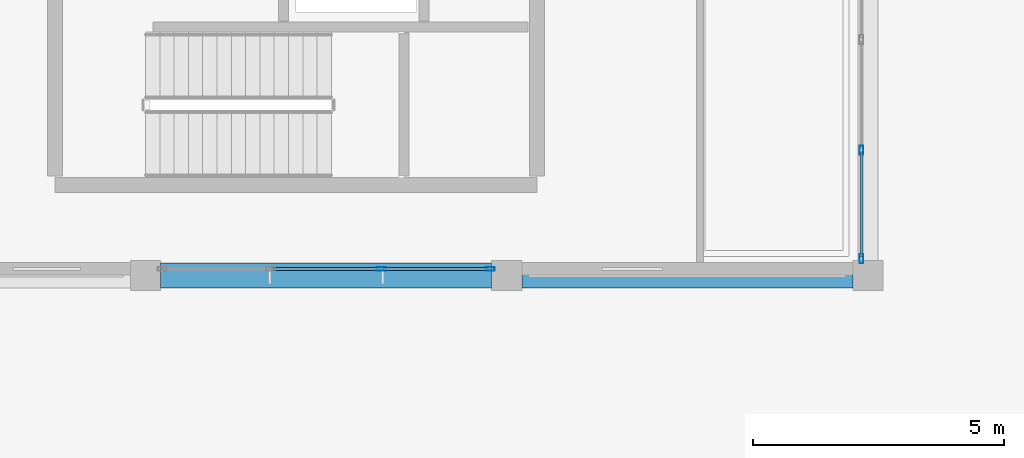
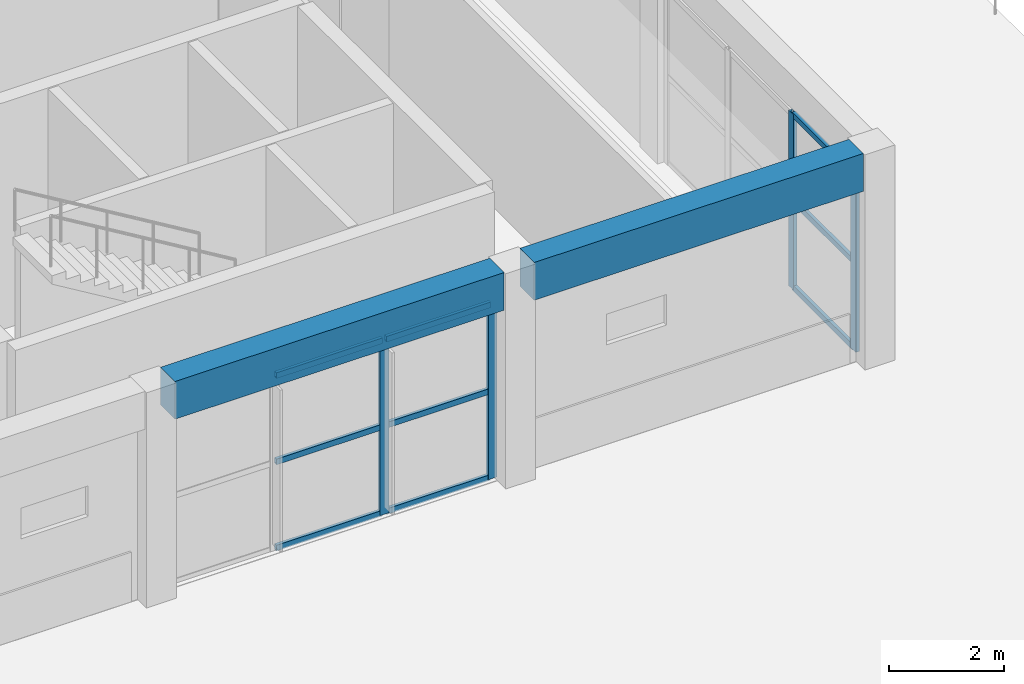
# One storey, part 14 of 155: 13 members, 2 beams, 2 elements without a shape of their own.
"""IFC4 building model written with IfcOpenShell, lengths in metres."""

from ifc_helpers import new_model, si_unit, direction, frame, origin, origin_2d, place, context, subcontext, project, spatial, rectangle, hollow_rectangle, extrude, material, material_profile, profile_set, type_object, element, aggregate, save


model = new_model("IFC4")

# Units and contexts
model_context = context("Model", 3, precision=1e-05, world=origin(), true_north=direction((0.0, 1.0)))
body_context = subcontext(model_context, "Body", "Model", "MODEL_VIEW")
ifc_project = project(units=[si_unit("LENGTHUNIT", "METRE"), si_unit("AREAUNIT", "SQUARE_METRE"), si_unit("VOLUMEUNIT", "CUBIC_METRE"), si_unit("PLANEANGLEUNIT", "RADIAN"), si_unit("MASSUNIT", "GRAM", prefix="KILO")], contexts=[model_context])

# Site, building, storey
site_placement = place(None, origin())
site = spatial("IfcSite", under=ifc_project, at=site_placement, CompositionType="ELEMENT")
building_placement = place(site_placement, origin())
building = spatial("IfcBuilding", under=site, at=building_placement, Name="Bramvelor Terrace Health Centre", CompositionType="ELEMENT")
storey_placement = place(building_placement, origin())
storey = spatial("IfcBuildingStorey", under=building, at=storey_placement, Name="L01", CompositionType="ELEMENT", Elevation=0.0)

# Beams
ifc_material_1 = material(Name="Concrete C40/50", Category="concrete")
ifc_material_profile_1 = material_profile(ifc_material_1, rectangle(XDim=0.5, YDim=0.800048828125, at=origin_2d()), Name="RC 500x800")
ifc_profile_set_1 = profile_set([ifc_material_profile_1], Name="Concrete C40/50")
beam_type = type_object("IfcBeamType", Name="BM-RC-G800", PredefinedType="BEAM", material=ifc_profile_set_1)
for number, where, z_axis, x_axis, name in (
    (1, (7.5, 28.800048828125, 4.159912109375), (1.0, 0.0, 0.0), (0.0, 1.0, 0.0), "L01 Floor Girder"),
    (2, (14.699951171875, 28.800048828125, 4.159912109375), (1.0, 0.0, 0.0), (0.0, 1.0, 0.0), "L01 Floor Girder"),
):
    element("IfcBeam", number, at=place(storey_placement, frame(where, z_axis=z_axis, x_axis=x_axis)), inside=storey, type_object=beam_type, Name=name, PredefinedType="BEAM", context=body_context, shape_type="SweptSolid", body=[
        extrude(rectangle(XDim=0.5, YDim=0.800048828125, at=origin_2d()), origin(), (0.0, 0.0, 1.0), 6.60009765625),
    ])

# Curtain wall, members
ifc_material_2 = material(Name="Anodized aluminium and double low-E glass", Category="aluminium")
curtain_wall_type = type_object("IfcCurtainWallType", Name="CW-SYS-02", PredefinedType="NOTDEFINED", material=ifc_material_2)
curtain_wall_1_placement = place(storey_placement, origin())
curtain_wall_1 = element("IfcCurtainWall", 3, at=curtain_wall_1_placement, inside=storey, type_object=curtain_wall_type, Name="L01 Unitized Curtain Wall 5", PredefinedType="NOTDEFINED")
ifc_material_3 = material(Name="Anodized aluminium 6063-T6", Category="aluminium")
ifc_material_profile_2 = material_profile(ifc_material_3, hollow_rectangle(XDim=0.074951171875, YDim=0.179931640625, WallThickness=0.00341796875, at=origin_2d()), Name="ALU-MUL 75x180x3.5")
ifc_profile_set_2 = profile_set([ifc_material_profile_2], Name="Anodized aluminium 6063-T6")
member_type_1 = type_object("IfcMemberType", Name="CW-MUL-65x180", PredefinedType="MULLION", material=ifc_profile_set_2)
member_1_placement = place(storey_placement, frame((21.469970703125, 31.29833984375, 0.0), z_axis=(0.0, 0.0, 1.0), x_axis=(1.0, 0.0, 0.0)))
member_1 = element("IfcMember", 4, at=member_1_placement, type_object=member_type_1, Name="CW-02 mullion 3", PredefinedType="MULLION", context=body_context, shape_type="SweptSolid", body=[
    extrude(hollow_rectangle(XDim=0.074951171875, YDim=0.179931640625, WallThickness=0.00341796875, at=origin_2d()), origin(), (0.0, 0.0, 1.0), 3.719970703125),
])
member_2_placement = place(storey_placement, frame((21.469970703125, 29.132568359375, 0.0), z_axis=(0.0, 0.0, 1.0), x_axis=(1.0, 0.0, 0.0)))
member_2 = element("IfcMember", 5, at=member_2_placement, type_object=member_type_1, Name="CW-02 mullion 4", PredefinedType="MULLION", context=body_context, shape_type="SweptSolid", body=[
    extrude(hollow_rectangle(XDim=0.074951171875, YDim=0.179931640625, WallThickness=0.00341796875, at=origin_2d()), origin(), (0.0, 0.0, 1.0), 3.719970703125),
])

curtain_wall_2_placement = place(storey_placement, origin())
curtain_wall_2 = element("IfcCurtainWall", 6, at=curtain_wall_2_placement, inside=storey, type_object=curtain_wall_type, Name="L01 Unitized Curtain Wall 6", PredefinedType="NOTDEFINED")
member_3_placement = place(storey_placement, frame((14.0673828125, 28.929931640625, 0.0), z_axis=(0.0, 0.0, 1.0), x_axis=(0.0, -1.0, 0.0)))
member_3 = element("IfcMember", 7, at=member_3_placement, type_object=member_type_1, Name="CW-02 mullion 1", PredefinedType="MULLION", context=body_context, shape_type="SweptSolid", body=[
    extrude(hollow_rectangle(XDim=0.074951171875, YDim=0.179931640625, WallThickness=0.00341796875, at=origin_2d()), origin(), (0.0, 0.0, 1.0), 3.719970703125),
])
member_4_placement = place(storey_placement, frame((11.901611328125, 28.929931640625, 0.0), z_axis=(0.0, 0.0, 1.0), x_axis=(0.0, -1.0, 0.0)))
member_4 = element("IfcMember", 8, at=member_4_placement, type_object=member_type_1, Name="CW-02 mullion 2", PredefinedType="MULLION", context=body_context, shape_type="SweptSolid", body=[
    extrude(hollow_rectangle(XDim=0.074951171875, YDim=0.179931640625, WallThickness=0.00341796875, at=origin_2d()), origin(), (0.0, 0.0, 1.0), 3.719970703125),
])

# Member
ifc_material_4 = material(Name="Anodized aluminium 6063-T6", Category="aluminium")
ifc_material_profile_3 = material_profile(ifc_material_4, hollow_rectangle(XDim=0.06494140625, YDim=0.1201171875, WallThickness=0.0029296875, at=origin_2d()), Name="ALU-TRN 65x120x3.0")
ifc_profile_set_3 = profile_set([ifc_material_profile_3], Name="Anodized aluminium 6063-T6")
member_type_2 = type_object("IfcMemberType", Name="CW-TRN-65x150", PredefinedType="USERDEFINED", material=ifc_profile_set_3)
member_5_placement = place(storey_placement, frame((21.469970703125, 31.2607421875, 0.032470703125), z_axis=(0.0, -1.0, 0.0), x_axis=(1.0, 0.0, 0.0)))
member_5 = element("IfcMember", 9, at=member_5_placement, type_object=member_type_2, Name="CW-02 transom 3.1", ObjectType="TRANSOM", PredefinedType="USERDEFINED", context=body_context, shape_type="SweptSolid", body=[
    extrude(hollow_rectangle(XDim=0.06494140625, YDim=0.1201171875, WallThickness=0.0029296875, at=origin_2d()), origin(), (0.0, 0.0, 1.0), 2.0908203125),
])

member_6_placement = place(storey_placement, frame((21.469970703125, 31.2607421875, 1.860107421875), z_axis=(0.0, -1.0, 0.0), x_axis=(1.0, 0.0, 0.0)))
member_6 = element("IfcMember", 10, at=member_6_placement, type_object=member_type_2, Name="CW-02 transom 3.2", ObjectType="TRANSOM", PredefinedType="USERDEFINED", context=body_context, shape_type="SweptSolid", body=[
    extrude(hollow_rectangle(XDim=0.06494140625, YDim=0.1201171875, WallThickness=0.0029296875, at=origin_2d()), origin(), (0.0, 0.0, 1.0), 2.0908203125),
])

member_7_placement = place(storey_placement, frame((21.469970703125, 31.2607421875, 3.6875), z_axis=(0.0, -1.0, 0.0), x_axis=(1.0, 0.0, 0.0)))
member_7 = element("IfcMember", 11, at=member_7_placement, type_object=member_type_2, Name="CW-02 transom 3.3", ObjectType="TRANSOM", PredefinedType="USERDEFINED", context=body_context, shape_type="SweptSolid", body=[
    extrude(hollow_rectangle(XDim=0.06494140625, YDim=0.1201171875, WallThickness=0.0029296875, at=origin_2d()), origin(), (0.0, 0.0, 1.0), 2.0908203125),
])

aggregate(curtain_wall_1, [member_1, member_2, member_5, member_6, member_7])

member_8_placement = place(storey_placement, frame((14.030029296875, 28.929931640625, 0.032470703125), z_axis=(-1.0, 0.0, 0.0), x_axis=(0.0, -1.0, 0.0)))
member_8 = element("IfcMember", 12, at=member_8_placement, type_object=member_type_2, Name="CW-02 transom 1.1", ObjectType="TRANSOM", PredefinedType="USERDEFINED", context=body_context, shape_type="SweptSolid", body=[
    extrude(hollow_rectangle(XDim=0.06494140625, YDim=0.1201171875, WallThickness=0.0029296875, at=origin_2d()), origin(), (0.0, 0.0, 1.0), 2.0908203125),
])

member_9_placement = place(storey_placement, frame((14.030029296875, 28.929931640625, 1.860107421875), z_axis=(-1.0, 0.0, 0.0), x_axis=(0.0, -1.0, 0.0)))
member_9 = element("IfcMember", 13, at=member_9_placement, type_object=member_type_2, Name="CW-02 transom 1.2", ObjectType="TRANSOM", PredefinedType="USERDEFINED", context=body_context, shape_type="SweptSolid", body=[
    extrude(hollow_rectangle(XDim=0.06494140625, YDim=0.1201171875, WallThickness=0.0029296875, at=origin_2d()), origin(), (0.0, 0.0, 1.0), 2.0908203125),
])

member_10_placement = place(storey_placement, frame((14.030029296875, 28.929931640625, 3.6875), z_axis=(-1.0, 0.0, 0.0), x_axis=(0.0, -1.0, 0.0)))
member_10 = element("IfcMember", 14, at=member_10_placement, type_object=member_type_2, Name="CW-02 transom 1.3", ObjectType="TRANSOM", PredefinedType="USERDEFINED", context=body_context, shape_type="SweptSolid", body=[
    extrude(hollow_rectangle(XDim=0.06494140625, YDim=0.1201171875, WallThickness=0.0029296875, at=origin_2d()), origin(), (0.0, 0.0, 1.0), 2.0908203125),
])

member_11_placement = place(storey_placement, frame((11.8642578125, 28.929931640625, 0.032470703125), z_axis=(-1.0, 0.0, 0.0), x_axis=(0.0, -1.0, 0.0)))
member_11 = element("IfcMember", 15, at=member_11_placement, type_object=member_type_2, Name="CW-02 transom 2.1", ObjectType="TRANSOM", PredefinedType="USERDEFINED", context=body_context, shape_type="SweptSolid", body=[
    extrude(hollow_rectangle(XDim=0.06494140625, YDim=0.1201171875, WallThickness=0.0029296875, at=origin_2d()), origin(), (0.0, 0.0, 1.0), 2.12841796875),
])

member_12_placement = place(storey_placement, frame((11.8642578125, 28.929931640625, 1.860107421875), z_axis=(-1.0, 0.0, 0.0), x_axis=(0.0, -1.0, 0.0)))
member_12 = element("IfcMember", 16, at=member_12_placement, type_object=member_type_2, Name="CW-02 transom 2.2", ObjectType="TRANSOM", PredefinedType="USERDEFINED", context=body_context, shape_type="SweptSolid", body=[
    extrude(hollow_rectangle(XDim=0.06494140625, YDim=0.1201171875, WallThickness=0.0029296875, at=origin_2d()), origin(), (0.0, 0.0, 1.0), 2.12841796875),
])

member_13_placement = place(storey_placement, frame((11.8642578125, 28.929931640625, 3.6875), z_axis=(-1.0, 0.0, 0.0), x_axis=(0.0, -1.0, 0.0)))
member_13 = element("IfcMember", 17, at=member_13_placement, type_object=member_type_2, Name="CW-02 transom 2.3", ObjectType="TRANSOM", PredefinedType="USERDEFINED", context=body_context, shape_type="SweptSolid", body=[
    extrude(hollow_rectangle(XDim=0.06494140625, YDim=0.1201171875, WallThickness=0.0029296875, at=origin_2d()), origin(), (0.0, 0.0, 1.0), 2.12841796875),
])

aggregate(curtain_wall_2, [member_3, member_4, member_8, member_9, member_10, member_11, member_12, member_13])

save(model, "model.ifc")
